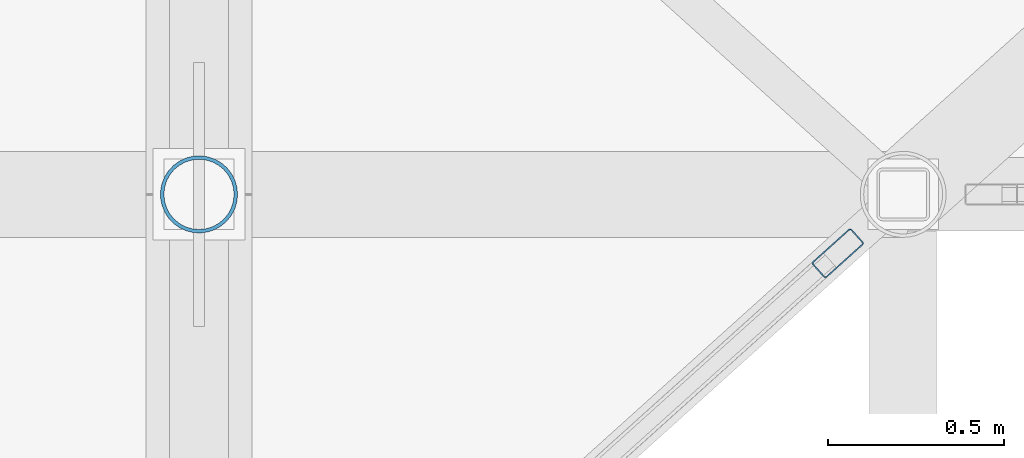
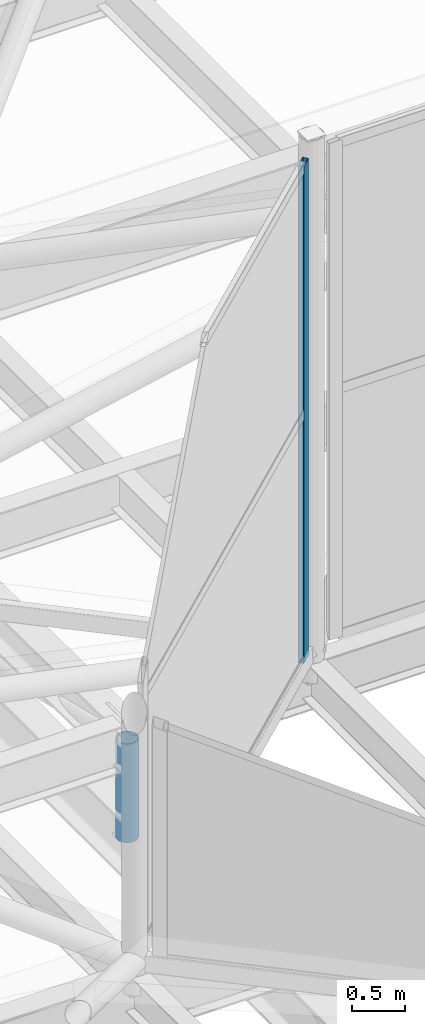
# One storey, part 92 of 239: 2 members, 1 element without a shape of its own.
"""IFC4 building model written with IfcOpenShell, lengths in metres."""

from ifc_helpers import new_model, si_unit, direction, frame, origin, origin_2d, place, context, subcontext, project, spatial, hollow_rectangle, hollow_circle, extrude, material, layer, layer_set, material_profile, profile_set, type_object, element, aggregate, save


model = new_model("IFC4")

# Units and contexts
model_context = context("Model", 3, precision=1e-05, world=origin(), true_north=direction((0.0, 1.0)))
body_context = subcontext(model_context, "Body", "Model", "MODEL_VIEW")
ifc_project = project(units=[si_unit("LENGTHUNIT", "METRE"), si_unit("AREAUNIT", "SQUARE_METRE"), si_unit("VOLUMEUNIT", "CUBIC_METRE"), si_unit("PLANEANGLEUNIT", "RADIAN"), si_unit("MASSUNIT", "GRAM", prefix="KILO")], contexts=[model_context])

# Site, building, storey
site_placement = place(None, origin())
site = spatial("IfcSite", under=ifc_project, at=site_placement, CompositionType="ELEMENT")
building_placement = place(site_placement, origin())
building = spatial("IfcBuilding", under=site, at=building_placement, Name="Dunvalen Ferry Terminal", CompositionType="ELEMENT")
storey_placement = place(building_placement, frame((0.0, 0.0, 9.840087890625)))
storey = spatial("IfcBuildingStorey", under=building, at=storey_placement, Name="L02", CompositionType="ELEMENT", Elevation=9.840087890625)

# Curtain wall, member
ifc_material_1 = material(Name="Anodised marine aluminium and solar-control glazing", Category="aluminium")
ifc_layer = layer(ifc_material_1, 0.179931640625, Name="Anodised marine aluminium and solar-control glazing")
ifc_layer_set = layer_set([ifc_layer], Name="Anodised marine aluminium and solar-control glazing")
curtain_wall_type = type_object("IfcCurtainWallType", Name="ENV-CW-SYS-06", PredefinedType="NOTDEFINED", material=ifc_layer_set)
curtain_wall_placement = place(storey_placement, origin())
curtain_wall = element("IfcCurtainWall", 1, at=curtain_wall_placement, inside=storey, type_object=curtain_wall_type, Name="L02 Curtain Wall CW-HEX-25-SK-6", PredefinedType="NOTDEFINED")
ifc_material_2 = material(Name="Anodised marine aluminium EN AW-6063 T6", Category="aluminium")
ifc_material_profile_1 = material_profile(ifc_material_2, hollow_rectangle(XDim=0.06005859375, YDim=0.14990234375, WallThickness=0.00341796875, InnerFilletRadius=0.00341796875, OuterFilletRadius=0.007080078125, at=origin_2d()), Name="Anodised marine aluminium EN AW-6063 T6")
ifc_profile_set_1 = profile_set([ifc_material_profile_1], Name="Anodised marine aluminium EN AW-6063 T6")
member_type_1 = type_object("IfcMemberType", Name="ENV-CW-MUL-3", PredefinedType="MULLION", material=ifc_profile_set_1)
member_1_placement = place(storey_placement, frame((49.814208984375, 68.232666015625, 1.139892578125), z_axis=(0.0, 0.0, 1.0), x_axis=(0.668953550894, -0.74330420875, 0.0)))
member_1 = element("IfcMember", 2, at=member_1_placement, type_object=member_type_1, Name="CW-06 mullion 1", PredefinedType="MULLION", context=body_context, shape_type="SweptSolid", body=[
    extrude(hollow_rectangle(XDim=0.06005859375, YDim=0.14990234375, WallThickness=0.00341796875, InnerFilletRadius=0.00341796875, OuterFilletRadius=0.007080078125, at=origin_2d()), origin(), (0.0, 0.0, 1.0), 5.699951171875),
])
aggregate(curtain_wall, [member_1])

# Member
ifc_material_3 = material(Name="Steel S355", Category="steel")
ifc_material_profile_2 = material_profile(ifc_material_3, hollow_circle(Radius=0.109619140625, WallThickness=0.010009765625, at=origin_2d()), Name="Steel S355")
ifc_profile_set_2 = profile_set([ifc_material_profile_2], Name="Steel S355")
member_type_2 = type_object("IfcMemberType", Name="STR-MB-CHS219", PredefinedType="STRUT", material=ifc_profile_set_2)
member_2_placement = place(storey_placement, frame((48.0, 68.39990234375, -0.360107421875), z_axis=(0.0, 0.0, 1.0), x_axis=(1.0, 0.0, 0.0)))
element("IfcMember", 3, at=member_2_placement, inside=storey, type_object=member_type_2, Name="Departure Hall Arch Spandrel Strut 04.4", PredefinedType="STRUT", context=body_context, shape_type="SweptSolid", body=[
    extrude(hollow_circle(Radius=0.109619140625, WallThickness=0.010009765625, at=origin_2d()), origin(), (0.0, 0.0, 1.0), 1.130126953125),
])

save(model, "model.ifc")
